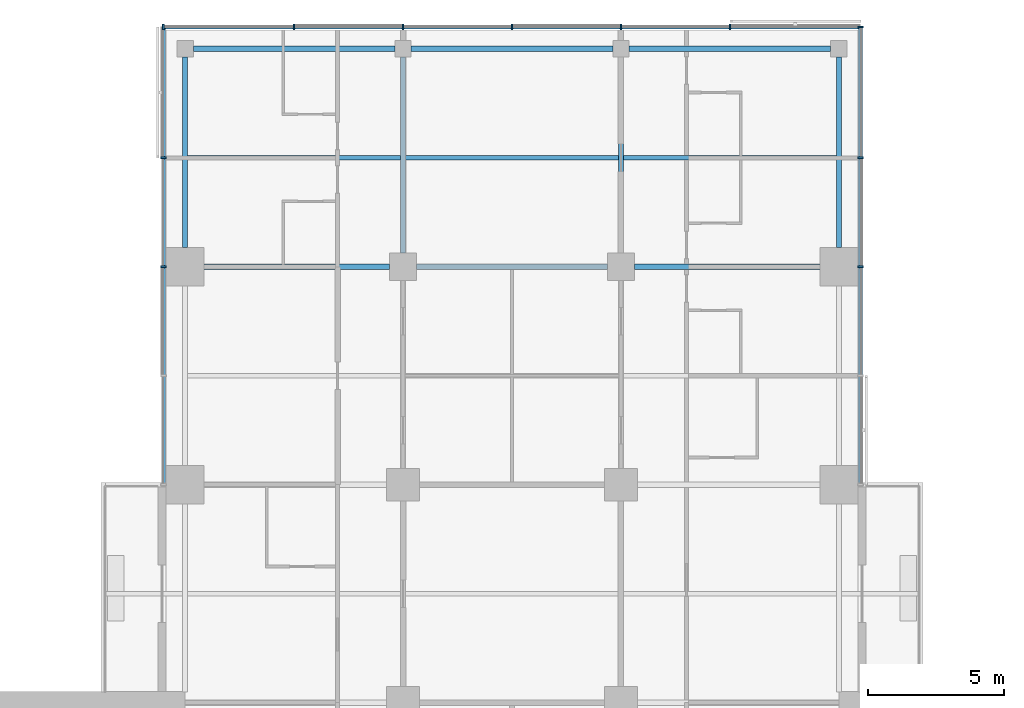
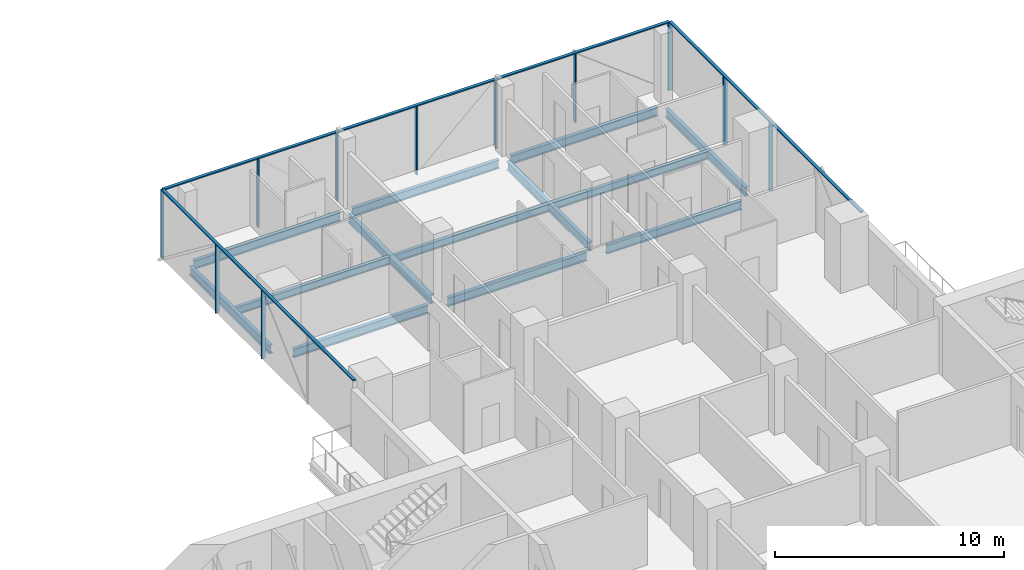
# One storey, part 12 of 27: 14 members, 13 beams, 3 elements without a shape of their own.
"""IFC4 building model written with IfcOpenShell, lengths in metres."""

from ifc_helpers import new_model, si_unit, direction, frame, origin, origin_2d, place, context, subcontext, project, spatial, rectangle, i_section, extrude, material, material_profile, profile_set, type_object, element, aggregate, save


model = new_model("IFC4")

# Units and contexts
model_context = context("Model", 3, precision=1e-05, world=origin(), true_north=direction((0.0, 1.0)))
body_context = subcontext(model_context, "Body", "Model", "MODEL_VIEW")
ifc_project = project(units=[si_unit("LENGTHUNIT", "METRE"), si_unit("AREAUNIT", "SQUARE_METRE"), si_unit("VOLUMEUNIT", "CUBIC_METRE"), si_unit("PLANEANGLEUNIT", "RADIAN"), si_unit("MASSUNIT", "GRAM", prefix="KILO")], contexts=[model_context])

# Site, building, storey
site_placement = place(None, origin())
site = spatial("IfcSite", under=ifc_project, at=site_placement, CompositionType="ELEMENT")
building_placement = place(site_placement, origin())
building = spatial("IfcBuilding", under=site, at=building_placement, Name="Crosswind Convention Tower", CompositionType="ELEMENT")
storey_placement = place(building_placement, frame((0.0, 0.0, 79.39990234375)))
storey = spatial("IfcBuildingStorey", under=building, at=storey_placement, Name="L14", CompositionType="ELEMENT", Elevation=79.39990234375)

# Beams
ifc_material_1 = material(Name="Steel S355", Category="steel")
ifc_material_profile_1 = material_profile(ifc_material_1, i_section(OverallWidth=0.1904296875, OverallDepth=0.457275390625, WebThickness=0.009033203125, FlangeThickness=0.014404296875, FilletRadius=0.01025390625, at=origin_2d()), Name="UB 457x191x75")
ifc_profile_set_1 = profile_set([ifc_material_profile_1], Name="Steel S355")
beam_type_1 = type_object("IfcBeamType", Name="Edge beam UB 457x191x75", PredefinedType="SPANDREL", material=ifc_profile_set_1)
beam_1_placement = place(storey_placement, frame((113.0, 128.699951171875, -0.508544921875), z_axis=(0.0, 1.0, 0.0), x_axis=(-1.0, 0.0, 0.0)))
element("IfcBeam", 1, at=beam_1_placement, inside=storey, type_object=beam_type_1, Name="B17 L14 edge beam 11", PredefinedType="SPANDREL", context=body_context, shape_type="SweptSolid", body=[
    extrude(i_section(OverallWidth=0.1904296875, OverallDepth=0.457275390625, WebThickness=0.009033203125, FlangeThickness=0.014404296875, FilletRadius=0.01025390625, at=origin_2d()), origin(), (0.0, 0.0, 1.0), 7.0),
])
for number, where, z_axis, x_axis, name in (
    (2, (113.300048828125, 136.0, -0.508544921875), (1.0, 0.0, 0.0), (0.0, 1.0, 0.0), "B17 L14 edge beam 13"),
    (3, (121.300048828125, 136.0, -0.508544921875), (1.0, 0.0, 0.0), (0.0, 1.0, 0.0), "B17 L14 edge beam 15"),
    (4, (129.300048828125, 136.0, -0.508544921875), (1.0, 0.0, 0.0), (0.0, 1.0, 0.0), "B17 L14 edge beam 17"),
):
    element("IfcBeam", number, at=place(storey_placement, frame(where, z_axis=z_axis, x_axis=x_axis)), inside=storey, type_object=beam_type_1, Name=name, PredefinedType="SPANDREL", context=body_context, shape_type="SweptSolid", body=[
        extrude(i_section(OverallWidth=0.1904296875, OverallDepth=0.457275390625, WebThickness=0.009033203125, FlangeThickness=0.014404296875, FilletRadius=0.01025390625, at=origin_2d()), origin(), (0.0, 0.0, 1.0), 7.39990234375),
    ])
beam_2_placement = place(storey_placement, frame((137.0, 128.699951171875, -0.508544921875), z_axis=(0.0, 1.0, 0.0), x_axis=(-1.0, 0.0, 0.0)))
element("IfcBeam", 5, at=beam_2_placement, inside=storey, type_object=beam_type_1, Name="B17 L14 edge beam 23", PredefinedType="SPANDREL", context=body_context, shape_type="SweptSolid", body=[
    extrude(i_section(OverallWidth=0.1904296875, OverallDepth=0.457275390625, WebThickness=0.009033203125, FlangeThickness=0.014404296875, FilletRadius=0.01025390625, at=origin_2d()), origin(), (0.0, 0.0, 1.0), 7.0),
])
ifc_material_profile_2 = material_profile(ifc_material_1, i_section(OverallWidth=0.19140625, OverallDepth=0.460205078125, WebThickness=0.010009765625, FlangeThickness=0.01611328125, FilletRadius=0.01025390625, at=origin_2d()), Name="UB 457x191x82")
ifc_profile_set_2 = profile_set([ifc_material_profile_2], Name="Steel S355")
beam_type_2 = type_object("IfcBeamType", Name="Girder UB 457x191x82", PredefinedType="BEAM", material=ifc_profile_set_2)
beam_3_placement = place(storey_placement, frame((113.699951171875, 128.0, -0.510009765625), z_axis=(1.0, 0.0, 0.0), x_axis=(0.0, 1.0, 0.0)))
element("IfcBeam", 6, at=beam_3_placement, inside=storey, type_object=beam_type_2, Name="B3 L14 girder 4", PredefinedType="BEAM", context=body_context, shape_type="SweptSolid", body=[
    extrude(i_section(OverallWidth=0.19140625, OverallDepth=0.460205078125, WebThickness=0.010009765625, FlangeThickness=0.01611328125, FilletRadius=0.01025390625, at=origin_2d()), origin(), (0.0, 0.0, 1.0), 6.800048828125),
])
beam_4_placement = place(storey_placement, frame((121.0, 128.5, -0.510009765625), z_axis=(0.0, 1.0, 0.0), x_axis=(-1.0, 0.0, 0.0)))
element("IfcBeam", 7, at=beam_4_placement, inside=storey, type_object=beam_type_2, Name="B3 L14 girder 13", PredefinedType="BEAM", context=body_context, shape_type="SweptSolid", body=[
    extrude(i_section(OverallWidth=0.19140625, OverallDepth=0.460205078125, WebThickness=0.010009765625, FlangeThickness=0.01611328125, FilletRadius=0.01025390625, at=origin_2d()), origin(), (0.0, 0.0, 1.0), 7.199951171875),
])
beam_5_placement = place(storey_placement, frame((121.5, 128.0, -0.510009765625), z_axis=(1.0, 0.0, 0.0), x_axis=(0.0, 1.0, 0.0)))
element("IfcBeam", 8, at=beam_5_placement, inside=storey, type_object=beam_type_2, Name="B3 L14 girder 15", PredefinedType="BEAM", context=body_context, shape_type="SweptSolid", body=[
    extrude(i_section(OverallWidth=0.19140625, OverallDepth=0.460205078125, WebThickness=0.010009765625, FlangeThickness=0.01611328125, FilletRadius=0.01025390625, at=origin_2d()), origin(), (0.0, 0.0, 1.0), 7.0),
])
beam_6_placement = place(storey_placement, frame((129.0, 128.5, -0.510009765625), z_axis=(0.0, 1.0, 0.0), x_axis=(-1.0, 0.0, 0.0)))
element("IfcBeam", 9, at=beam_6_placement, inside=storey, type_object=beam_type_2, Name="B3 L14 girder 30", PredefinedType="BEAM", context=body_context, shape_type="SweptSolid", body=[
    extrude(i_section(OverallWidth=0.19140625, OverallDepth=0.460205078125, WebThickness=0.010009765625, FlangeThickness=0.01611328125, FilletRadius=0.01025390625, at=origin_2d()), origin(), (0.0, 0.0, 1.0), 7.199951171875),
])
beam_7_placement = place(storey_placement, frame((129.5, 128.0, -0.510009765625), z_axis=(1.0, 0.0, 0.0), x_axis=(0.0, 1.0, 0.0)))
element("IfcBeam", 10, at=beam_7_placement, inside=storey, type_object=beam_type_2, Name="B3 L14 girder 32", PredefinedType="BEAM", context=body_context, shape_type="SweptSolid", body=[
    extrude(i_section(OverallWidth=0.19140625, OverallDepth=0.460205078125, WebThickness=0.010009765625, FlangeThickness=0.01611328125, FilletRadius=0.01025390625, at=origin_2d()), origin(), (0.0, 0.0, 1.0), 6.800048828125),
])

# Curtain wall, members
ifc_material_2 = material(Name="Aluminium unitised curtain wall", Category="aluminium")
curtain_wall_type = type_object("IfcCurtainWallType", Name="HOTEL UNITISED WALL 200", PredefinedType="USERDEFINED", material=ifc_material_2)
curtain_wall_1_placement = place(storey_placement, origin())
curtain_wall_1 = element("IfcCurtainWall", 11, at=curtain_wall_1_placement, inside=storey, type_object=curtain_wall_type, Name="CW2 L14 N-E 1", ObjectType="UNITISED", PredefinedType="USERDEFINED")
ifc_material_3 = material(Name="Aluminium mullion", Category="aluminium")
ifc_material_profile_3 = material_profile(ifc_material_3, rectangle(XDim=0.199951171875, YDim=0.06494140625, at=origin_2d()), Name="AL 200X65")
ifc_profile_set_3 = profile_set([ifc_material_profile_3], Name="Aluminium mullion")
member_type_1 = type_object("IfcMemberType", Name="MULLION 65X200", PredefinedType="MULLION", material=ifc_profile_set_3)
member_1_placement = place(storey_placement, frame((137.800048828125, 128.0, -0.27978515625), z_axis=(0.0, 0.0, 1.0), x_axis=(1.0, 0.0, 0.0)))
member_1 = element("IfcMember", 12, at=member_1_placement, type_object=member_type_1, Name="CW2 mullion 3", PredefinedType="MULLION", context=body_context, shape_type="SweptSolid", body=[
    extrude(rectangle(XDim=0.199951171875, YDim=0.06494140625, at=origin_2d()), origin(), (0.0, 0.0, 1.0), 3.634765625),
])
member_2_placement = place(storey_placement, frame((137.800048828125, 132.0, -0.27978515625), z_axis=(0.0, 0.0, 1.0), x_axis=(1.0, 0.0, 0.0)))
member_2 = element("IfcMember", 13, at=member_2_placement, type_object=member_type_1, Name="CW2 mullion 4", PredefinedType="MULLION", context=body_context, shape_type="SweptSolid", body=[
    extrude(rectangle(XDim=0.199951171875, YDim=0.06494140625, at=origin_2d()), origin(), (0.0, 0.0, 1.0), 3.634765625),
])
member_3_placement = place(storey_placement, frame((137.800048828125, 136.800048828125, -0.27978515625), z_axis=(0.0, 0.0, 1.0), x_axis=(1.0, 0.0, 0.0)))
member_3 = element("IfcMember", 14, at=member_3_placement, type_object=member_type_1, Name="CW2 mullion 5", PredefinedType="MULLION", context=body_context, shape_type="SweptSolid", body=[
    extrude(rectangle(XDim=0.199951171875, YDim=0.06494140625, at=origin_2d()), origin(), (0.0, 0.0, 1.0), 3.634765625),
])

curtain_wall_2_placement = place(storey_placement, origin())
curtain_wall_2 = element("IfcCurtainWall", 15, at=curtain_wall_2_placement, inside=storey, type_object=curtain_wall_type, Name="CW2 L14 N-TIP 1", ObjectType="UNITISED", PredefinedType="USERDEFINED")
member_4_placement = place(storey_placement, frame((133.0, 136.800048828125, -0.27978515625), z_axis=(0.0, 0.0, 1.0), x_axis=(0.0, 1.0, 0.0)))
member_4 = element("IfcMember", 16, at=member_4_placement, type_object=member_type_1, Name="CW2 mullion 2", PredefinedType="MULLION", context=body_context, shape_type="SweptSolid", body=[
    extrude(rectangle(XDim=0.199951171875, YDim=0.06494140625, at=origin_2d()), origin(), (0.0, 0.0, 1.0), 3.634765625),
])
member_5_placement = place(storey_placement, frame((129.0, 136.800048828125, -0.27978515625), z_axis=(0.0, 0.0, 1.0), x_axis=(0.0, 1.0, 0.0)))
member_5 = element("IfcMember", 17, at=member_5_placement, type_object=member_type_1, Name="CW2 mullion 3", PredefinedType="MULLION", context=body_context, shape_type="SweptSolid", body=[
    extrude(rectangle(XDim=0.199951171875, YDim=0.06494140625, at=origin_2d()), origin(), (0.0, 0.0, 1.0), 3.634765625),
])
member_6_placement = place(storey_placement, frame((125.0, 136.800048828125, -0.27978515625), z_axis=(0.0, 0.0, 1.0), x_axis=(0.0, 1.0, 0.0)))
member_6 = element("IfcMember", 18, at=member_6_placement, type_object=member_type_1, Name="CW2 mullion 4", PredefinedType="MULLION", context=body_context, shape_type="SweptSolid", body=[
    extrude(rectangle(XDim=0.199951171875, YDim=0.06494140625, at=origin_2d()), origin(), (0.0, 0.0, 1.0), 3.634765625),
])
member_7_placement = place(storey_placement, frame((121.0, 136.800048828125, -0.27978515625), z_axis=(0.0, 0.0, 1.0), x_axis=(0.0, 1.0, 0.0)))
member_7 = element("IfcMember", 19, at=member_7_placement, type_object=member_type_1, Name="CW2 mullion 5", PredefinedType="MULLION", context=body_context, shape_type="SweptSolid", body=[
    extrude(rectangle(XDim=0.199951171875, YDim=0.06494140625, at=origin_2d()), origin(), (0.0, 0.0, 1.0), 3.634765625),
])
member_8_placement = place(storey_placement, frame((117.0, 136.800048828125, -0.27978515625), z_axis=(0.0, 0.0, 1.0), x_axis=(0.0, 1.0, 0.0)))
member_8 = element("IfcMember", 20, at=member_8_placement, type_object=member_type_1, Name="CW2 mullion 6", PredefinedType="MULLION", context=body_context, shape_type="SweptSolid", body=[
    extrude(rectangle(XDim=0.199951171875, YDim=0.06494140625, at=origin_2d()), origin(), (0.0, 0.0, 1.0), 3.634765625),
])
member_9_placement = place(storey_placement, frame((112.199951171875, 136.800048828125, -0.27978515625), z_axis=(0.0, 0.0, 1.0), x_axis=(0.0, 1.0, 0.0)))
member_9 = element("IfcMember", 21, at=member_9_placement, type_object=member_type_1, Name="CW2 mullion 7", PredefinedType="MULLION", context=body_context, shape_type="SweptSolid", body=[
    extrude(rectangle(XDim=0.199951171875, YDim=0.06494140625, at=origin_2d()), origin(), (0.0, 0.0, 1.0), 3.634765625),
])

curtain_wall_3_placement = place(storey_placement, origin())
curtain_wall_3 = element("IfcCurtainWall", 22, at=curtain_wall_3_placement, inside=storey, type_object=curtain_wall_type, Name="CW2 L14 N-W 1", ObjectType="UNITISED", PredefinedType="USERDEFINED")
member_10_placement = place(storey_placement, frame((112.199951171875, 132.0, -0.27978515625), z_axis=(0.0, 0.0, 1.0), x_axis=(-1.0, 0.0, 0.0)))
member_10 = element("IfcMember", 23, at=member_10_placement, type_object=member_type_1, Name="CW2 mullion 2", PredefinedType="MULLION", context=body_context, shape_type="SweptSolid", body=[
    extrude(rectangle(XDim=0.199951171875, YDim=0.06494140625, at=origin_2d()), origin(), (0.0, 0.0, 1.0), 3.634765625),
])
member_11_placement = place(storey_placement, frame((112.199951171875, 128.0, -0.27978515625), z_axis=(0.0, 0.0, 1.0), x_axis=(-1.0, 0.0, 0.0)))
member_11 = element("IfcMember", 24, at=member_11_placement, type_object=member_type_1, Name="CW2 mullion 3", PredefinedType="MULLION", context=body_context, shape_type="SweptSolid", body=[
    extrude(rectangle(XDim=0.199951171875, YDim=0.06494140625, at=origin_2d()), origin(), (0.0, 0.0, 1.0), 3.634765625),
])

# Beams
ifc_material_profile_4 = material_profile(ifc_material_1, i_section(OverallWidth=0.177734375, OverallDepth=0.406494140625, WebThickness=0.0078125, FlangeThickness=0.0126953125, FilletRadius=0.01025390625, at=origin_2d()), Name="UB 406x178x60")
ifc_profile_set_4 = profile_set([ifc_material_profile_4], Name="Steel S355")
beam_type_3 = type_object("IfcBeamType", Name="Secondary beam UB 406x178x60", PredefinedType="JOIST", material=ifc_profile_set_4)
beam_8_placement = place(storey_placement, frame((113.09521484375, 132.0, -0.483154296875), z_axis=(1.0, 0.0, 0.0), x_axis=(0.0, 1.0, 0.0)))
element("IfcBeam", 25, at=beam_8_placement, inside=storey, type_object=beam_type_3, Name="B10 L14 secondary beam 12", PredefinedType="JOIST", context=body_context, shape_type="SweptSolid", body=[
    extrude(i_section(OverallWidth=0.177734375, OverallDepth=0.406494140625, WebThickness=0.0078125, FlangeThickness=0.0126953125, FilletRadius=0.01025390625, at=origin_2d()), origin(), (0.0, 0.0, 1.0), 7.80908203125),
])
beam_9_placement = place(storey_placement, frame((121.095703125, 132.0, -0.483154296875), z_axis=(1.0, 0.0, 0.0), x_axis=(0.0, 1.0, 0.0)))
element("IfcBeam", 26, at=beam_9_placement, inside=storey, type_object=beam_type_3, Name="B10 L14 secondary beam 21", PredefinedType="JOIST", context=body_context, shape_type="SweptSolid", body=[
    extrude(i_section(OverallWidth=0.177734375, OverallDepth=0.406494140625, WebThickness=0.0078125, FlangeThickness=0.0126953125, FilletRadius=0.01025390625, at=origin_2d()), origin(), (0.0, 0.0, 1.0), 7.80859375),
])
beam_10_placement = place(storey_placement, frame((129.095703125, 132.0, -0.483154296875), z_axis=(1.0, 0.0, 0.0), x_axis=(0.0, 1.0, 0.0)))
element("IfcBeam", 27, at=beam_10_placement, inside=storey, type_object=beam_type_3, Name="B10 L14 secondary beam 30", PredefinedType="JOIST", context=body_context, shape_type="SweptSolid", body=[
    extrude(i_section(OverallWidth=0.177734375, OverallDepth=0.406494140625, WebThickness=0.0078125, FlangeThickness=0.0126953125, FilletRadius=0.01025390625, at=origin_2d()), origin(), (0.0, 0.0, 1.0), 7.80908203125),
])

# Member
ifc_material_4 = material(Name="Aluminium transom", Category="aluminium")
ifc_material_profile_5 = material_profile(ifc_material_4, rectangle(XDim=0.14990234375, YDim=0.06494140625, at=origin_2d()), Name="AL 150X65")
ifc_profile_set_5 = profile_set([ifc_material_profile_5], Name="Aluminium transom")
member_type_2 = type_object("IfcMemberType", Name="TRANSOM 65X150", PredefinedType="USERDEFINED", material=ifc_profile_set_5)
member_12_placement = place(storey_placement, frame((137.800048828125, 120.032470703125, 3.3876953125), z_axis=(0.0, 1.0, 0.0), x_axis=(-1.0, 0.0, 0.0)))
member_12 = element("IfcMember", 28, at=member_12_placement, type_object=member_type_2, Name="CW2 transom", ObjectType="TRANSOM", PredefinedType="USERDEFINED", context=body_context, shape_type="SweptSolid", body=[
    extrude(rectangle(XDim=0.14990234375, YDim=0.06494140625, at=origin_2d()), origin(), (0.0, 0.0, 1.0), 16.735107421875),
])

aggregate(curtain_wall_1, [member_1, member_2, member_3, member_12])

member_13_placement = place(storey_placement, frame((137.767578125, 136.800048828125, 3.3876953125), z_axis=(-1.0, 0.0, 0.0), x_axis=(0.0, -1.0, 0.0)))
member_13 = element("IfcMember", 29, at=member_13_placement, type_object=member_type_2, Name="CW2 transom", ObjectType="TRANSOM", PredefinedType="USERDEFINED", context=body_context, shape_type="SweptSolid", body=[
    extrude(rectangle(XDim=0.14990234375, YDim=0.06494140625, at=origin_2d()), origin(), (0.0, 0.0, 1.0), 25.53515625),
])

aggregate(curtain_wall_2, [member_4, member_5, member_6, member_7, member_8, member_9, member_13])

member_14_placement = place(storey_placement, frame((112.199951171875, 136.767578125, 3.3876953125), z_axis=(0.0, -1.0, 0.0), x_axis=(1.0, 0.0, 0.0)))
member_14 = element("IfcMember", 30, at=member_14_placement, type_object=member_type_2, Name="CW2 transom", ObjectType="TRANSOM", PredefinedType="USERDEFINED", context=body_context, shape_type="SweptSolid", body=[
    extrude(rectangle(XDim=0.14990234375, YDim=0.06494140625, at=origin_2d()), origin(), (0.0, 0.0, 1.0), 16.735107421875),
])

aggregate(curtain_wall_3, [member_10, member_11, member_14])

save(model, "model.ifc")
